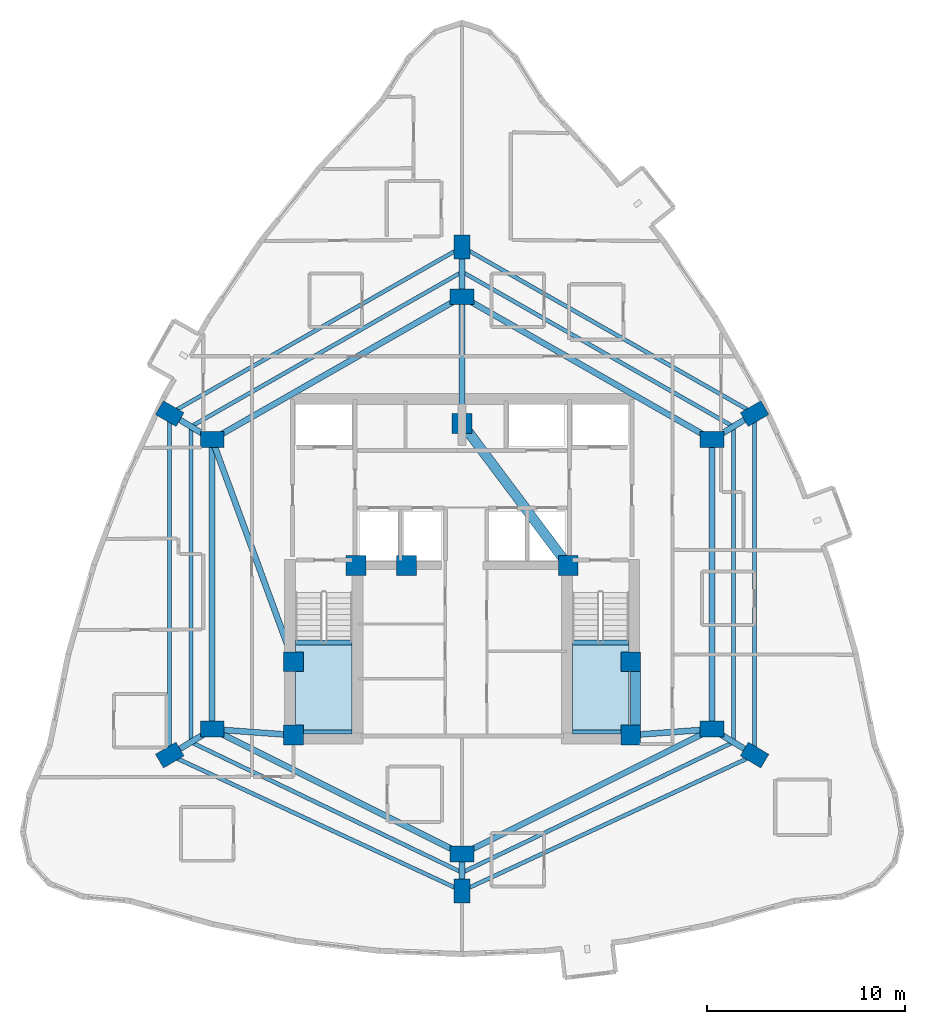
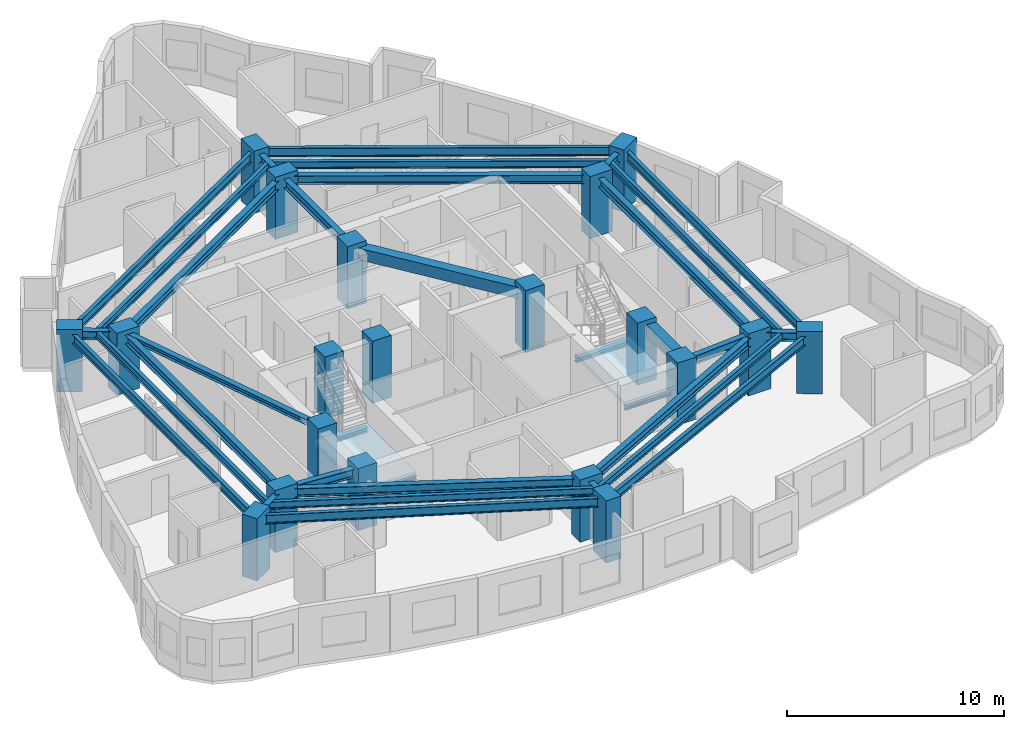
# One storey, part 1 of 12: 34 beams, 20 columns, 2 slabs, 2 elements without a shape of their own.
"""IFC4 building model written with IfcOpenShell, lengths in metres."""

from ifc_helpers import new_model, si_unit, direction, frame, origin, origin_2d, place, context, subcontext, project, spatial, polyline, rectangle, i_section, outline, extrude, material, layer, layer_set, material_profile, profile_set, type_object, element, aggregate, save


model = new_model("IFC4")

# Units and contexts
model_context = context("Model", 3, precision=1e-05, world=origin(), true_north=direction((0.0, 1.0)))
body_context = subcontext(model_context, "Body", "Model", "MODEL_VIEW")
ifc_project = project(units=[si_unit("LENGTHUNIT", "METRE"), si_unit("AREAUNIT", "SQUARE_METRE"), si_unit("VOLUMEUNIT", "CUBIC_METRE"), si_unit("PLANEANGLEUNIT", "RADIAN"), si_unit("MASSUNIT", "GRAM", prefix="KILO")], contexts=[model_context])

# Site, building, storey
site_placement = place(None, origin())
site = spatial("IfcSite", under=ifc_project, at=site_placement, CompositionType="ELEMENT")
building_placement = place(site_placement, origin())
building = spatial("IfcBuilding", under=site, at=building_placement, Name="Miruveldt Soraemaru", CompositionType="ELEMENT")
storey_placement = place(building_placement, frame((0.0, 0.0, 103.89990234375)))
storey = spatial("IfcBuildingStorey", under=building, at=storey_placement, Name="L28", CompositionType="ELEMENT", Elevation=103.89990234375)

# Columns
ifc_material_1 = material(Name="Concrete C60/75 (60 MPa)", Category="concrete")
ifc_material_profile_1 = material_profile(ifc_material_1, rectangle(XDim=1.0, YDim=1.0, at=origin_2d()), Name="Concrete C60/75 (60 MPa)", Category="concrete")
ifc_profile_set_1 = profile_set([ifc_material_profile_1], Name="Concrete C60/75 (60 MPa)")
column_type_1 = type_object("IfcColumnType", Name="COL-CORE-1000", PredefinedType="COLUMN", material=ifc_profile_set_1)
for number, where, z_axis, x_axis, name in (
    (1, (35.5, 35.5, 0.0), (0.0, 0.0, 1.0), (1.0, 0.0, 0.0), "L28 Structural Column CC1"),
    (2, (38.64990234375, 44.050048828125, 0.0), (0.0, 0.0, 1.0), (1.0, 0.0, 0.0), "L28 Structural Column CC2"),
    (3, (52.5, 35.5, 0.0), (0.0, 0.0, 1.0), (1.0, 0.0, 0.0), "L28 Structural Column CC3"),
    (4, (52.5, 39.199951171875, 0.0), (0.0, 0.0, 1.0), (1.0, 0.0, 0.0), "L28 Structural Column CC4"),
    (5, (49.35009765625, 44.050048828125, 0.0), (0.0, 0.0, 1.0), (1.0, 0.0, 0.0), "L28 Structural Column CC5"),
    (6, (44.0, 51.199951171875, 0.0), (0.0, 0.0, 1.0), (1.0, 0.0, 0.0), "L28 Structural Column CC6"),
    (7, (35.5, 39.199951171875, 0.0), (0.0, 0.0, 1.0), (1.0, 0.0, 0.0), "L28 Structural Column CC7"),
    (8, (41.199951171875, 44.050048828125, 0.0), (0.0, 0.0, 1.0), (1.0, 0.0, 0.0), "L28 Structural Column CC8"),
):
    element("IfcColumn", number, at=place(storey_placement, frame(where, z_axis=z_axis, x_axis=x_axis)), inside=storey, type_object=column_type_1, Name=name, PredefinedType="COLUMN", context=body_context, shape_type="SweptSolid", body=[
        extrude(rectangle(XDim=1.0, YDim=1.0, at=origin_2d()), origin(), (0.0, 0.0, 1.0), 3.5),
    ])
ifc_material_2 = material(Name="Concrete C70/85 (70 MPa)", Category="concrete")
ifc_material_profile_2 = material_profile(ifc_material_2, rectangle(XDim=1.199951171875, YDim=0.800048828125, at=origin_2d()), Name="Concrete C70/85 (70 MPa)", Category="concrete")
ifc_profile_set_2 = profile_set([ifc_material_profile_2], Name="Concrete C70/85 (70 MPa)")
column_type_2 = type_object("IfcColumnType", Name="COL-TW-Z2", PredefinedType="COLUMN", material=ifc_profile_set_2)
for number, where, z_axis, x_axis, name in (
    (9, (44.0, 57.60009765625, 0.0), (0.0, 0.0, 1.0), (1.0, 0.0, 0.0), "L28 Structural Column IR01"),
    (10, (56.60009765625, 50.39990234375, 0.0), (0.0, 0.0, 1.0), (1.0, 0.0, 0.0), "L28 Structural Column IR02"),
    (11, (56.60009765625, 35.800048828125, 0.0), (0.0, 0.0, 1.0), (1.0, 0.0, 0.0), "L28 Structural Column IR03"),
    (12, (44.0, 29.5, 0.0), (0.0, 0.0, 1.0), (1.0, 0.0, 0.0), "L28 Structural Column IR04"),
    (13, (31.39990234375, 35.800048828125, 0.0), (0.0, 0.0, 1.0), (1.0, 0.0, 0.0), "L28 Structural Column IR05"),
    (14, (31.39990234375, 50.39990234375, 0.0), (0.0, 0.0, 1.0), (1.0, 0.0, 0.0), "L28 Structural Column IR06"),
    (15, (44.0, 60.10595703125, 0.0), (0.0, 0.0, 1.0), (0.0, 1.0, 0.0), "L28 Structural Column Z2P01"),
    (16, (58.739990234375, 51.705078125, 0.0), (0.0, 0.0, 1.0), (0.866025403784, 0.5, 0.0), "L28 Structural Column Z2P02"),
    (17, (58.739990234375, 34.4951171875, 0.0), (0.0, 0.0, 1.0), (-0.860742027004, 0.50904141575, 0.0), "L28 Structural Column Z2P03"),
    (18, (44.0, 27.64697265625, 0.0), (0.0, 0.0, 1.0), (0.0, 1.0, 0.0), "L28 Structural Column Z2P04"),
    (19, (29.260009765625, 34.4951171875, 0.0), (0.0, 0.0, 1.0), (0.860742027004, 0.50904141575, 0.0), "L28 Structural Column Z2P05"),
    (20, (29.260009765625, 51.705078125, 0.0), (0.0, 0.0, 1.0), (-0.866025403784, 0.5, 0.0), "L28 Structural Column Z2P06"),
):
    element("IfcColumn", number, at=place(storey_placement, frame(where, z_axis=z_axis, x_axis=x_axis)), inside=storey, type_object=column_type_2, Name=name, PredefinedType="COLUMN", context=body_context, shape_type="SweptSolid", body=[
        extrude(rectangle(XDim=1.199951171875, YDim=0.800048828125, at=origin_2d()), origin(), (0.0, 0.0, 1.0), 3.5),
    ])

# Beams
ifc_material_3 = material(Name="Steel SM355 (355 MPa)", Category="steel")
ifc_material_profile_3 = material_profile(ifc_material_3, i_section(OverallWidth=0.300048828125, OverallDepth=0.300048828125, WebThickness=0.010009765625, FlangeThickness=0.014892578125, FilletRadius=0.01806640625, at=origin_2d()), Name="Steel SM355 (355 MPa)", Category="steel")
ifc_profile_set_3 = profile_set([ifc_material_profile_3], Name="Steel SM355 (355 MPa)")
beam_type_1 = type_object("IfcBeamType", Name="BM-LNT-H300", PredefinedType="LINTEL", material=ifc_profile_set_3)
beam_1_placement = place(storey_placement, frame((31.39990234375, 50.39990234375, 3.085205078125), z_axis=(0.343770424598, -0.939053723262, 0.0), x_axis=(0.939053723262, 0.343770424598, 0.0)))
element("IfcBeam", 21, at=beam_1_placement, inside=storey, type_object=beam_type_1, Name="L28 West Lobby Lintel", PredefinedType="LINTEL", context=body_context, shape_type="SweptSolid", body=[
    extrude(i_section(OverallWidth=0.300048828125, OverallDepth=0.300048828125, WebThickness=0.010009765625, FlangeThickness=0.014892578125, FilletRadius=0.01806640625, at=origin_2d()), origin(), (0.0, 0.0, 1.0), 11.9267578125),
])
ifc_material_4 = material(Name="Concrete C50/60 (50 MPa)", Category="concrete")
ifc_material_profile_4 = material_profile(ifc_material_4, rectangle(XDim=0.5, YDim=0.64990234375, at=origin_2d()), Name="Concrete C50/60 (50 MPa)", Category="concrete")
ifc_profile_set_4 = profile_set([ifc_material_profile_4], Name="Concrete C50/60 (50 MPa)")
beam_type_2 = type_object("IfcBeamType", Name="BM-RC-500x650", PredefinedType="BEAM", material=ifc_profile_set_4)
beam_2_placement = place(storey_placement, frame((52.72998046875, 35.5, 2.91015625), z_axis=(0.0, 1.0, 0.0), x_axis=(-1.0, 0.0, 0.0)))
element("IfcBeam", 22, at=beam_2_placement, inside=storey, type_object=beam_type_2, Name="L28 Core Tie Beam 3", PredefinedType="BEAM", context=body_context, shape_type="SweptSolid", body=[
    extrude(rectangle(XDim=0.5, YDim=0.64990234375, at=origin_2d()), origin(), (0.0, 0.0, 1.0), 3.699951171875),
])
beam_3_placement = place(storey_placement, frame((49.35009765625, 44.050048828125, 2.91015625), z_axis=(-0.599116023999, 0.800662219533, 0.0), x_axis=(-0.800662219533, -0.599116023999, 0.0)))
element("IfcBeam", 23, at=beam_3_placement, inside=storey, type_object=beam_type_2, Name="L28 Core Tie Beam 5", PredefinedType="BEAM", context=body_context, shape_type="SweptSolid", body=[
    extrude(rectangle(XDim=0.5, YDim=0.64990234375, at=origin_2d()), origin(), (0.0, 0.0, 1.0), 8.929931640625),
])
ifc_material_profile_5 = material_profile(ifc_material_3, i_section(OverallWidth=0.199951171875, OverallDepth=0.39990234375, WebThickness=0.008056640625, FlangeThickness=0.012939453125, FilletRadius=0.01611328125, at=origin_2d()), Name="Steel SM355 (355 MPa)", Category="steel")
ifc_profile_set_5 = profile_set([ifc_material_profile_5], Name="Steel SM355 (355 MPa)")
beam_type_3 = type_object("IfcBeamType", Name="BM-ST-H400", PredefinedType="JOIST", material=ifc_profile_set_5)
beam_4_placement = place(storey_placement, frame((44.0, 58.85302734375, 3.03515625), z_axis=(0.868539859756, -0.495619321672, 0.0), x_axis=(0.495619321672, 0.868539859756, 0.0)))
element("IfcBeam", 24, at=beam_4_placement, inside=storey, type_object=beam_type_3, Name="L28 Outer Bay Floor Joist 1", PredefinedType="JOIST", context=body_context, shape_type="SweptSolid", body=[
    extrude(i_section(OverallWidth=0.199951171875, OverallDepth=0.39990234375, WebThickness=0.008056640625, FlangeThickness=0.012939453125, FilletRadius=0.01611328125, at=origin_2d()), origin(), (0.0, 0.0, 1.0), 15.739013671875),
])
beam_5_placement = place(storey_placement, frame((57.669921875, 51.052490234375, 3.03515625), z_axis=(0.0, -1.0, 0.0), x_axis=(1.0, 0.0, 0.0)))
element("IfcBeam", 25, at=beam_5_placement, inside=storey, type_object=beam_type_3, Name="L28 Outer Bay Floor Joist 2", PredefinedType="JOIST", context=body_context, shape_type="SweptSolid", body=[
    extrude(i_section(OverallWidth=0.199951171875, OverallDepth=0.39990234375, WebThickness=0.008056640625, FlangeThickness=0.012939453125, FilletRadius=0.01611328125, at=origin_2d()), origin(), (0.0, 0.0, 1.0), 15.905029296875),
])
for number, where, z_axis, x_axis, name in (
    (26, (57.669921875, 35.1474609375, 3.03515625), (-0.901203586802, -0.433396002676, 0.0), (0.433396002676, -0.901203586802, 0.0), "L28 Outer Bay Floor Joist 3"),
    (27, (44.0, 28.573486328125, 3.03515625), (-0.901203586802, 0.433396002676, 0.0), (-0.433396002676, -0.901203586802, 0.0), "L28 Outer Bay Floor Joist 4"),
):
    element("IfcBeam", number, at=place(storey_placement, frame(where, z_axis=z_axis, x_axis=x_axis)), inside=storey, type_object=beam_type_3, Name=name, PredefinedType="JOIST", context=body_context, shape_type="SweptSolid", body=[
        extrude(i_section(OverallWidth=0.199951171875, OverallDepth=0.39990234375, WebThickness=0.008056640625, FlangeThickness=0.012939453125, FilletRadius=0.01611328125, at=origin_2d()), origin(), (0.0, 0.0, 1.0), 15.16845703125),
    ])
beam_6_placement = place(storey_placement, frame((30.330078125, 35.1474609375, 3.03515625), z_axis=(0.0, 1.0, 0.0), x_axis=(-1.0, 0.0, 0.0)))
element("IfcBeam", 28, at=beam_6_placement, inside=storey, type_object=beam_type_3, Name="L28 Outer Bay Floor Joist 5", PredefinedType="JOIST", context=body_context, shape_type="SweptSolid", body=[
    extrude(i_section(OverallWidth=0.199951171875, OverallDepth=0.39990234375, WebThickness=0.008056640625, FlangeThickness=0.012939453125, FilletRadius=0.01611328125, at=origin_2d()), origin(), (0.0, 0.0, 1.0), 15.905029296875),
])
beam_7_placement = place(storey_placement, frame((30.330078125, 51.052490234375, 3.03515625), z_axis=(0.868539859756, 0.495619321672, 0.0), x_axis=(-0.495619321672, 0.868539859756, 0.0)))
element("IfcBeam", 29, at=beam_7_placement, inside=storey, type_object=beam_type_3, Name="L28 Outer Bay Floor Joist 6", PredefinedType="JOIST", context=body_context, shape_type="SweptSolid", body=[
    extrude(i_section(OverallWidth=0.199951171875, OverallDepth=0.39990234375, WebThickness=0.008056640625, FlangeThickness=0.012939453125, FilletRadius=0.01611328125, at=origin_2d()), origin(), (0.0, 0.0, 1.0), 15.739013671875),
])
ifc_material_profile_6 = material_profile(ifc_material_3, i_section(OverallWidth=0.300048828125, OverallDepth=0.488037109375, WebThickness=0.010986328125, FlangeThickness=0.01806640625, FilletRadius=0.02587890625, at=origin_2d()), Name="Steel SM355 (355 MPa)", Category="steel")
ifc_profile_set_6 = profile_set([ifc_material_profile_6], Name="Steel SM355 (355 MPa)")
beam_type_4 = type_object("IfcBeamType", Name="BM-ST-H488", PredefinedType="BEAM", material=ifc_profile_set_6)
beam_8_placement = place(storey_placement, frame((44.0, 57.60009765625, 2.9912109375), z_axis=(0.868239001029, -0.496146185203, 0.0), x_axis=(0.496146185203, 0.868239001029, 0.0)))
element("IfcBeam", 30, at=beam_8_placement, inside=storey, type_object=beam_type_4, Name="L28 Inner Ring Girder 1", PredefinedType="BEAM", context=body_context, shape_type="SweptSolid", body=[
    extrude(i_section(OverallWidth=0.300048828125, OverallDepth=0.488037109375, WebThickness=0.010986328125, FlangeThickness=0.01806640625, FilletRadius=0.02587890625, at=origin_2d()), origin(), (0.0, 0.0, 1.0), 14.51220703125),
])
beam_9_placement = place(storey_placement, frame((44.0, 51.199951171875, 2.9912109375), z_axis=(0.0, 1.0, 0.0), x_axis=(-1.0, 0.0, 0.0)))
element("IfcBeam", 31, at=beam_9_placement, inside=storey, type_object=beam_type_4, Name="L28 Core-to-Inner Radial Girder 1", PredefinedType="BEAM", context=body_context, shape_type="SweptSolid", body=[
    extrude(i_section(OverallWidth=0.300048828125, OverallDepth=0.488037109375, WebThickness=0.010986328125, FlangeThickness=0.01806640625, FilletRadius=0.02587890625, at=origin_2d()), origin(), (0.0, 0.0, 1.0), 6.400146484375),
])
beam_10_placement = place(storey_placement, frame((56.60009765625, 50.39990234375, 2.9912109375), z_axis=(0.0, -1.0, 0.0), x_axis=(1.0, 0.0, 0.0)))
element("IfcBeam", 32, at=beam_10_placement, inside=storey, type_object=beam_type_4, Name="L28 Inner Ring Girder 2", PredefinedType="BEAM", context=body_context, shape_type="SweptSolid", body=[
    extrude(i_section(OverallWidth=0.300048828125, OverallDepth=0.488037109375, WebThickness=0.010986328125, FlangeThickness=0.01806640625, FilletRadius=0.02587890625, at=origin_2d()), origin(), (0.0, 0.0, 1.0), 14.599853515625),
])
beam_11_placement = place(storey_placement, frame((56.60009765625, 35.800048828125, 2.9912109375), z_axis=(-0.894427191, -0.4472135955, 0.0), x_axis=(0.4472135955, -0.894427191, 0.0)))
element("IfcBeam", 33, at=beam_11_placement, inside=storey, type_object=beam_type_4, Name="L28 Inner Ring Girder 3", PredefinedType="BEAM", context=body_context, shape_type="SweptSolid", body=[
    extrude(i_section(OverallWidth=0.300048828125, OverallDepth=0.488037109375, WebThickness=0.010986328125, FlangeThickness=0.01806640625, FilletRadius=0.02587890625, at=origin_2d()), origin(), (0.0, 0.0, 1.0), 14.08740234375),
])
beam_12_placement = place(storey_placement, frame((52.5, 35.5, 2.9912109375), z_axis=(0.997332985605, 0.072985723431, 0.0), x_axis=(-0.072985723431, 0.997332985605, 0.0)))
element("IfcBeam", 34, at=beam_12_placement, inside=storey, type_object=beam_type_4, Name="L28 Core-to-Inner Radial Girder 3", PredefinedType="BEAM", context=body_context, shape_type="SweptSolid", body=[
    extrude(i_section(OverallWidth=0.300048828125, OverallDepth=0.488037109375, WebThickness=0.010986328125, FlangeThickness=0.01806640625, FilletRadius=0.02587890625, at=origin_2d()), origin(), (0.0, 0.0, 1.0), 4.111083984375),
])
beam_13_placement = place(storey_placement, frame((44.0, 29.5, 2.9912109375), z_axis=(-0.894427191, 0.4472135955, 0.0), x_axis=(-0.4472135955, -0.894427191, 0.0)))
element("IfcBeam", 35, at=beam_13_placement, inside=storey, type_object=beam_type_4, Name="L28 Inner Ring Girder 4", PredefinedType="BEAM", context=body_context, shape_type="SweptSolid", body=[
    extrude(i_section(OverallWidth=0.300048828125, OverallDepth=0.488037109375, WebThickness=0.010986328125, FlangeThickness=0.01806640625, FilletRadius=0.02587890625, at=origin_2d()), origin(), (0.0, 0.0, 1.0), 14.08740234375),
])
beam_14_placement = place(storey_placement, frame((31.39990234375, 35.800048828125, 2.9912109375), z_axis=(0.0, 1.0, 0.0), x_axis=(-1.0, 0.0, 0.0)))
element("IfcBeam", 36, at=beam_14_placement, inside=storey, type_object=beam_type_4, Name="L28 Inner Ring Girder 5", PredefinedType="BEAM", context=body_context, shape_type="SweptSolid", body=[
    extrude(i_section(OverallWidth=0.300048828125, OverallDepth=0.488037109375, WebThickness=0.010986328125, FlangeThickness=0.01806640625, FilletRadius=0.02587890625, at=origin_2d()), origin(), (0.0, 0.0, 1.0), 14.599853515625),
])
beam_15_placement = place(storey_placement, frame((35.5, 35.5, 2.9912109375), z_axis=(-0.997332985605, 0.072985723431, 0.0), x_axis=(-0.072985723431, -0.997332985605, 0.0)))
element("IfcBeam", 37, at=beam_15_placement, inside=storey, type_object=beam_type_4, Name="L28 Core-to-Inner Radial Girder 5", PredefinedType="BEAM", context=body_context, shape_type="SweptSolid", body=[
    extrude(i_section(OverallWidth=0.300048828125, OverallDepth=0.488037109375, WebThickness=0.010986328125, FlangeThickness=0.01806640625, FilletRadius=0.02587890625, at=origin_2d()), origin(), (0.0, 0.0, 1.0), 4.111083984375),
])
beam_16_placement = place(storey_placement, frame((31.39990234375, 50.39990234375, 2.9912109375), z_axis=(0.868239001029, 0.496146185203, 0.0), x_axis=(-0.496146185203, 0.868239001029, 0.0)))
element("IfcBeam", 38, at=beam_16_placement, inside=storey, type_object=beam_type_4, Name="L28 Inner Ring Girder 6", PredefinedType="BEAM", context=body_context, shape_type="SweptSolid", body=[
    extrude(i_section(OverallWidth=0.300048828125, OverallDepth=0.488037109375, WebThickness=0.010986328125, FlangeThickness=0.01806640625, FilletRadius=0.02587890625, at=origin_2d()), origin(), (0.0, 0.0, 1.0), 14.51220703125),
])
beam_17_placement = place(storey_placement, frame((44.0, 57.60009765625, 2.9912109375), z_axis=(0.0, 1.0, 0.0), x_axis=(-1.0, 0.0, 0.0)))
element("IfcBeam", 39, at=beam_17_placement, inside=storey, type_object=beam_type_4, Name="L28 Zone-2 Radial Girder 1", PredefinedType="BEAM", context=body_context, shape_type="SweptSolid", body=[
    extrude(i_section(OverallWidth=0.300048828125, OverallDepth=0.488037109375, WebThickness=0.010986328125, FlangeThickness=0.01806640625, FilletRadius=0.02587890625, at=origin_2d()), origin(), (0.0, 0.0, 1.0), 2.505859375),
])
beam_18_placement = place(storey_placement, frame((56.60009765625, 50.39990234375, 2.9912109375), z_axis=(0.85373175529, 0.520713059188, 0.0), x_axis=(-0.520713059188, 0.85373175529, 0.0)))
element("IfcBeam", 40, at=beam_18_placement, inside=storey, type_object=beam_type_4, Name="L28 Zone-2 Radial Girder 2", PredefinedType="BEAM", context=body_context, shape_type="SweptSolid", body=[
    extrude(i_section(OverallWidth=0.300048828125, OverallDepth=0.488037109375, WebThickness=0.010986328125, FlangeThickness=0.01806640625, FilletRadius=0.02587890625, at=origin_2d()), origin(), (0.0, 0.0, 1.0), 2.506591796875),
])
beam_19_placement = place(storey_placement, frame((56.60009765625, 35.800048828125, 2.9912109375), z_axis=(0.853775054686, -0.5206420613, 0.0), x_axis=(0.5206420613, 0.853775054686, 0.0)))
element("IfcBeam", 41, at=beam_19_placement, inside=storey, type_object=beam_type_4, Name="L28 Zone-2 Radial Girder 3", PredefinedType="BEAM", context=body_context, shape_type="SweptSolid", body=[
    extrude(i_section(OverallWidth=0.300048828125, OverallDepth=0.488037109375, WebThickness=0.010986328125, FlangeThickness=0.01806640625, FilletRadius=0.02587890625, at=origin_2d()), origin(), (0.0, 0.0, 1.0), 2.50634765625),
])
beam_20_placement = place(storey_placement, frame((44.0, 29.5, 2.9912109375), z_axis=(0.0, -1.0, 0.0), x_axis=(1.0, 0.0, 0.0)))
element("IfcBeam", 42, at=beam_20_placement, inside=storey, type_object=beam_type_4, Name="L28 Zone-2 Radial Girder 4", PredefinedType="BEAM", context=body_context, shape_type="SweptSolid", body=[
    extrude(i_section(OverallWidth=0.300048828125, OverallDepth=0.488037109375, WebThickness=0.010986328125, FlangeThickness=0.01806640625, FilletRadius=0.02587890625, at=origin_2d()), origin(), (0.0, 0.0, 1.0), 1.85302734375),
])
beam_21_placement = place(storey_placement, frame((31.39990234375, 35.800048828125, 2.9912109375), z_axis=(-0.853775054686, -0.5206420613, 0.0), x_axis=(0.5206420613, -0.853775054686, 0.0)))
element("IfcBeam", 43, at=beam_21_placement, inside=storey, type_object=beam_type_4, Name="L28 Zone-2 Radial Girder 5", PredefinedType="BEAM", context=body_context, shape_type="SweptSolid", body=[
    extrude(i_section(OverallWidth=0.300048828125, OverallDepth=0.488037109375, WebThickness=0.010986328125, FlangeThickness=0.01806640625, FilletRadius=0.02587890625, at=origin_2d()), origin(), (0.0, 0.0, 1.0), 2.50634765625),
])
beam_22_placement = place(storey_placement, frame((31.39990234375, 50.39990234375, 2.9912109375), z_axis=(-0.85373175529, 0.520713059188, 0.0), x_axis=(-0.520713059188, -0.85373175529, 0.0)))
element("IfcBeam", 44, at=beam_22_placement, inside=storey, type_object=beam_type_4, Name="L28 Zone-2 Radial Girder 6", PredefinedType="BEAM", context=body_context, shape_type="SweptSolid", body=[
    extrude(i_section(OverallWidth=0.300048828125, OverallDepth=0.488037109375, WebThickness=0.010986328125, FlangeThickness=0.01806640625, FilletRadius=0.02587890625, at=origin_2d()), origin(), (0.0, 0.0, 1.0), 2.506591796875),
])
ifc_material_profile_7 = material_profile(ifc_material_3, i_section(OverallWidth=0.199951171875, OverallDepth=0.5, WebThickness=0.010009765625, FlangeThickness=0.01611328125, FilletRadius=0.02001953125, at=origin_2d()), Name="Steel SM355 (355 MPa)", Category="steel")
ifc_profile_set_7 = profile_set([ifc_material_profile_7], Name="Steel SM355 (355 MPa)")
beam_type_5 = type_object("IfcBeamType", Name="BM-ST-H500", PredefinedType="SPANDREL", material=ifc_profile_set_7)
beam_23_placement = place(storey_placement, frame((44.0, 60.10595703125, 2.985107421875), z_axis=(0.86880048516, -0.495162313778, 0.0), x_axis=(0.495162313778, 0.86880048516, 0.0)))
element("IfcBeam", 45, at=beam_23_placement, inside=storey, type_object=beam_type_5, Name="L28 Zone-2 Spandrel Beam 1", PredefinedType="SPANDREL", context=body_context, shape_type="SweptSolid", body=[
    extrude(i_section(OverallWidth=0.199951171875, OverallDepth=0.5, WebThickness=0.010009765625, FlangeThickness=0.01611328125, FilletRadius=0.02001953125, at=origin_2d()), origin(), (0.0, 0.0, 1.0), 16.9658203125),
])
beam_24_placement = place(storey_placement, frame((58.739990234375, 51.705078125, 2.985107421875), z_axis=(0.0, -1.0, 0.0), x_axis=(1.0, 0.0, 0.0)))
element("IfcBeam", 46, at=beam_24_placement, inside=storey, type_object=beam_type_5, Name="L28 Zone-2 Spandrel Beam 2", PredefinedType="SPANDREL", context=body_context, shape_type="SweptSolid", body=[
    extrude(i_section(OverallWidth=0.199951171875, OverallDepth=0.5, WebThickness=0.010009765625, FlangeThickness=0.01611328125, FilletRadius=0.02001953125, at=origin_2d()), origin(), (0.0, 0.0, 1.0), 17.2099609375),
])
for number, where, z_axis, x_axis, name in (
    (47, (58.739990234375, 34.4951171875, 2.985107421875), (-0.906901362829, -0.421342993414, 0.0), (0.421342993414, -0.906901362829, 0.0), "L28 Zone-2 Spandrel Beam 3"),
    (48, (44.0, 27.64697265625, 2.985107421875), (-0.906901362829, 0.421342993414, 0.0), (-0.421342993414, -0.906901362829, 0.0), "L28 Zone-2 Spandrel Beam 4"),
):
    element("IfcBeam", number, at=place(storey_placement, frame(where, z_axis=z_axis, x_axis=x_axis)), inside=storey, type_object=beam_type_5, Name=name, PredefinedType="SPANDREL", context=body_context, shape_type="SweptSolid", body=[
        extrude(i_section(OverallWidth=0.199951171875, OverallDepth=0.5, WebThickness=0.010009765625, FlangeThickness=0.01611328125, FilletRadius=0.02001953125, at=origin_2d()), origin(), (0.0, 0.0, 1.0), 16.253173828125),
    ])
beam_25_placement = place(storey_placement, frame((29.260009765625, 34.4951171875, 2.985107421875), z_axis=(0.0, 1.0, 0.0), x_axis=(-1.0, 0.0, 0.0)))
element("IfcBeam", 49, at=beam_25_placement, inside=storey, type_object=beam_type_5, Name="L28 Zone-2 Spandrel Beam 5", PredefinedType="SPANDREL", context=body_context, shape_type="SweptSolid", body=[
    extrude(i_section(OverallWidth=0.199951171875, OverallDepth=0.5, WebThickness=0.010009765625, FlangeThickness=0.01611328125, FilletRadius=0.02001953125, at=origin_2d()), origin(), (0.0, 0.0, 1.0), 17.2099609375),
])
beam_26_placement = place(storey_placement, frame((29.260009765625, 51.705078125, 2.985107421875), z_axis=(0.86880048516, 0.495162313778, 0.0), x_axis=(-0.495162313778, 0.86880048516, 0.0)))
element("IfcBeam", 50, at=beam_26_placement, inside=storey, type_object=beam_type_5, Name="L28 Zone-2 Spandrel Beam 6", PredefinedType="SPANDREL", context=body_context, shape_type="SweptSolid", body=[
    extrude(i_section(OverallWidth=0.199951171875, OverallDepth=0.5, WebThickness=0.010009765625, FlangeThickness=0.01611328125, FilletRadius=0.02001953125, at=origin_2d()), origin(), (0.0, 0.0, 1.0), 16.9658203125),
])
ifc_material_profile_8 = material_profile(ifc_material_3, i_section(OverallWidth=0.199951171875, OverallDepth=0.199951171875, WebThickness=0.008056640625, FlangeThickness=0.011962890625, FilletRadius=0.012939453125, at=origin_2d()), Name="Steel SM355 (355 MPa)", Category="steel")
ifc_profile_set_8 = profile_set([ifc_material_profile_8], Name="Steel SM355 (355 MPa)")
beam_type_6 = type_object("IfcBeamType", Name="BM-ST-LND200", PredefinedType="BEAM", material=ifc_profile_set_8)
for number, where, z_axis, x_axis, name in (
    (51, (35.60009765625, 35.64990234375, 1.4501953125), (1.0, 0.0, 0.0), (0.0, 1.0, 0.0), "L28 ST1 Landing End Beam 1B"),
    (52, (49.550048828125, 35.64990234375, 1.4501953125), (1.0, 0.0, 0.0), (0.0, 1.0, 0.0), "L28 ST2 Landing End Beam 1B"),
):
    element("IfcBeam", number, at=place(storey_placement, frame(where, z_axis=z_axis, x_axis=x_axis)), inside=storey, type_object=beam_type_6, Name=name, PredefinedType="BEAM", context=body_context, shape_type="SweptSolid", body=[
        extrude(i_section(OverallWidth=0.199951171875, OverallDepth=0.199951171875, WebThickness=0.008056640625, FlangeThickness=0.011962890625, FilletRadius=0.012939453125, at=origin_2d()), origin(), (0.0, 0.0, 1.0), 2.849853515625),
    ])
ifc_material_profile_9 = material_profile(ifc_material_3, i_section(OverallWidth=0.25, OverallDepth=0.25, WebThickness=0.009033203125, FlangeThickness=0.013916015625, FilletRadius=0.01611328125, at=origin_2d()), Name="Steel SM355 (355 MPa)", Category="steel")
ifc_profile_set_9 = profile_set([ifc_material_profile_9], Name="Steel SM355 (355 MPa)")
beam_type_7 = type_object("IfcBeamType", Name="BM-ST-LND250", PredefinedType="BEAM", material=ifc_profile_set_9)
for number, where, z_axis, x_axis, name in (
    (53, (35.60009765625, 40.179931640625, 1.425048828125), (1.0, 0.0, 0.0), (0.0, 1.0, 0.0), "L28 ST1 Landing Support Beam 1A"),
    (54, (49.550048828125, 40.179931640625, 1.425048828125), (1.0, 0.0, 0.0), (0.0, 1.0, 0.0), "L28 ST2 Landing Support Beam 1A"),
):
    element("IfcBeam", number, at=place(storey_placement, frame(where, z_axis=z_axis, x_axis=x_axis)), inside=storey, type_object=beam_type_7, Name=name, PredefinedType="BEAM", context=body_context, shape_type="SweptSolid", body=[
        extrude(i_section(OverallWidth=0.25, OverallDepth=0.25, WebThickness=0.009033203125, FlangeThickness=0.013916015625, FilletRadius=0.01611328125, at=origin_2d()), origin(), (0.0, 0.0, 1.0), 2.849853515625),
    ])

# Stair, slab
ifc_material_5 = material(Name="Concrete C40/50 (40 MPa)", Category="concrete")
stair_type = type_object("IfcStairType", Name="STAIR-DL-350", PredefinedType="HALF_TURN_STAIR", material=ifc_material_5)
stair_1_placement = place(storey_placement, origin())
stair_1 = element("IfcStair", 55, at=stair_1_placement, inside=storey, type_object=stair_type, Name="L28 Protected Exit Stair ST-1", PredefinedType="HALF_TURN_STAIR")
ifc_layer = layer(ifc_material_5, 0.199951171875, Name="Concrete C40/50 (40 MPa)", Category="concrete")
ifc_layer_set = layer_set([ifc_layer], Name="Concrete C40/50 (40 MPa)")
slab_type = type_object("IfcSlabType", Name="SLAB-LAND-200", PredefinedType="LANDING", material=ifc_layer_set)
slab_1_placement = place(storey_placement, frame((0.0, 0.0, 1.550048828125)))
slab_1 = element("IfcSlab", 56, at=slab_1_placement, type_object=slab_type, Name="ST-1 landing 1", PredefinedType="LANDING", context=body_context, shape_type="SweptSolid", body=[
    extrude(outline(polyline([(35.60009765625, 40.197998046875), (35.60009765625, 35.64990234375), (38.449951171875, 35.64990234375), (38.449951171875, 40.197998046875), (35.60009765625, 40.197998046875)])), origin(), (0.0, 0.0, 1.0), 0.199951171875),
])
aggregate(stair_1, [slab_1])

stair_2_placement = place(storey_placement, origin())
stair_2 = element("IfcStair", 57, at=stair_2_placement, inside=storey, type_object=stair_type, Name="L28 Protected Exit Stair ST-2", PredefinedType="HALF_TURN_STAIR")
slab_2_placement = place(storey_placement, frame((0.0, 0.0, 1.550048828125)))
slab_2 = element("IfcSlab", 58, at=slab_2_placement, type_object=slab_type, Name="ST-2 landing 1", PredefinedType="LANDING", context=body_context, shape_type="SweptSolid", body=[
    extrude(outline(polyline([(49.550048828125, 40.197998046875), (49.550048828125, 35.64990234375), (52.39990234375, 35.64990234375), (52.39990234375, 40.197998046875), (49.550048828125, 40.197998046875)])), origin(), (0.0, 0.0, 1.0), 0.199951171875),
])
aggregate(stair_2, [slab_2])

save(model, "model.ifc")
